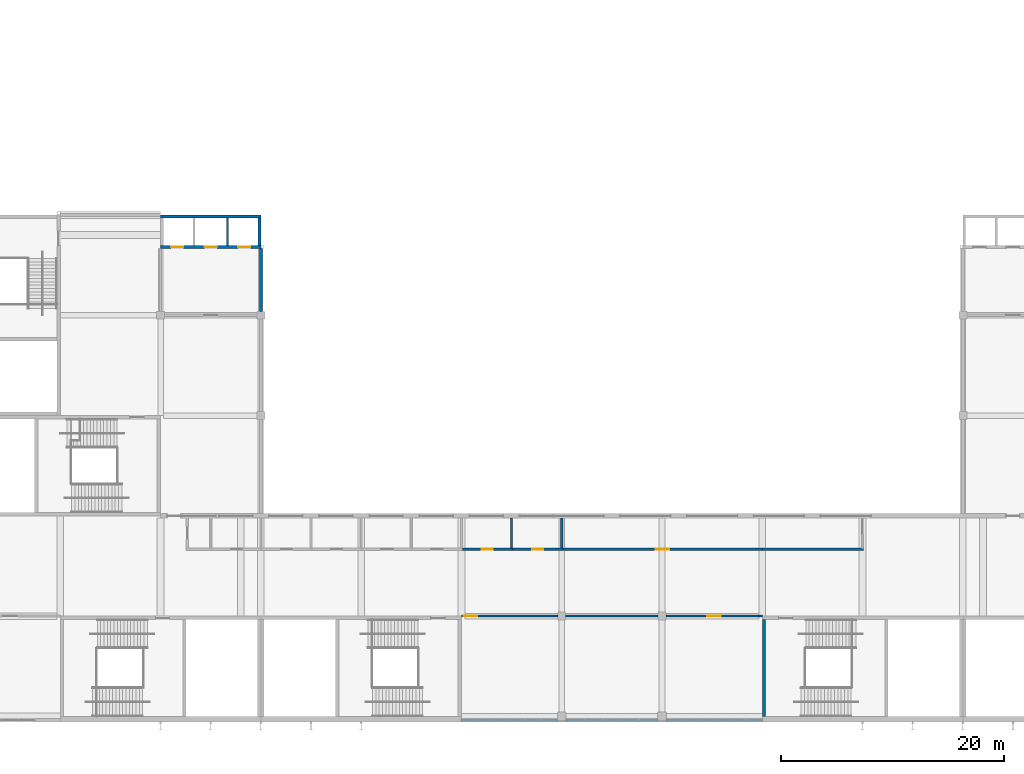
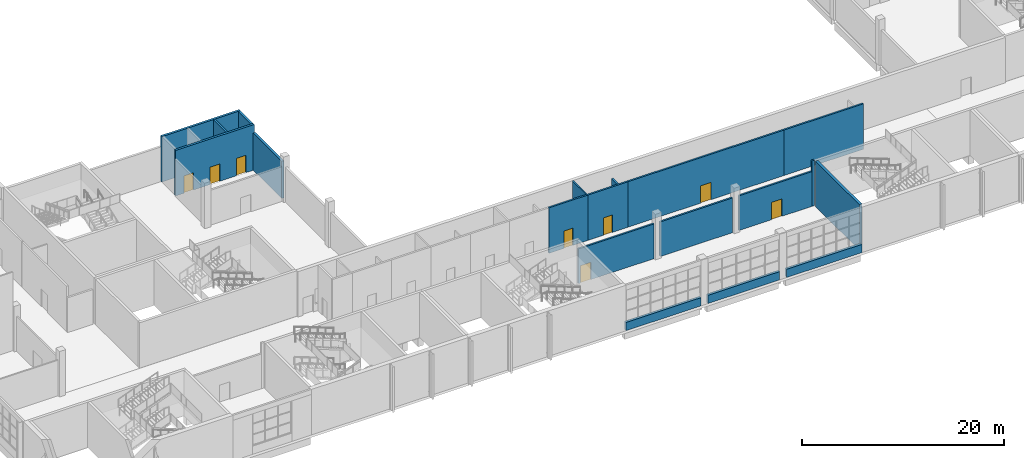
# One storey, part 34 of 84: 19 walls, 8 doors, 8 openings.
"""IFC4 building model written with IfcOpenShell, lengths in metres."""

from ifc_helpers import new_model, si_unit, direction, frame, frame_2d, origin, place, context, subcontext, project, spatial, rectangle, extrude, material, layer, layer_set, type_object, element, fill, save


model = new_model("IFC4")

# Units and contexts
model_context = context("Model", 3, precision=1e-05, world=origin(), true_north=direction((0.0, 1.0)))
body_context = subcontext(model_context, "Body", "Model", "MODEL_VIEW")
ifc_project = project(units=[si_unit("LENGTHUNIT", "METRE"), si_unit("AREAUNIT", "SQUARE_METRE"), si_unit("VOLUMEUNIT", "CUBIC_METRE"), si_unit("PLANEANGLEUNIT", "RADIAN"), si_unit("MASSUNIT", "GRAM", prefix="KILO")], contexts=[model_context])

# Site, building, storey
site_placement = place(None, origin())
site = spatial("IfcSite", under=ifc_project, at=site_placement, CompositionType="ELEMENT")
building_placement = place(site_placement, origin())
building = spatial("IfcBuilding", under=site, at=building_placement, Name="Silverbay Arena", CompositionType="ELEMENT")
storey_placement = place(building_placement, frame((0.0, 0.0, 28.0)))
storey = spatial("IfcBuildingStorey", under=building, at=storey_placement, Name="L04", CompositionType="ELEMENT", Elevation=28.0)

# Walls
ifc_material_1 = material(Name="Anodised aluminium cladding on insulated backing", Category="aluminium")
ifc_layer_1 = layer(ifc_material_1, 0.300048828125)
ifc_layer_set_1 = layer_set([ifc_layer_1], Name="Anodised aluminium cladding on insulated backing")
wall_type_1 = type_object("IfcWallType", Name="Aluminium clad wall 300", PredefinedType="SOLIDWALL", material=ifc_layer_set_1)
wall_1_placement = place(storey_placement, frame((117.0, 17.64990234375, 0.0), z_axis=(0.0, 0.0, 1.0), x_axis=(1.0, 0.0, 0.0)))
element("IfcWall", 1, at=wall_1_placement, inside=storey, type_object=wall_type_1, Name="South sill wall L04 bay 8", PredefinedType="SOLIDWALL", context=body_context, shape_type="SweptSolid", body=[
    extrude(rectangle(XDim=8.60009765625, YDim=0.300048828125, at=frame_2d((4.300048828125, 0.0))), origin(), (0.0, 0.0, 1.0), 1.0),
])
wall_2_placement = place(storey_placement, frame((126.39990234375, 17.64990234375, 0.0), z_axis=(0.0, 0.0, 1.0), x_axis=(1.0, 0.0, 0.0)))
element("IfcWall", 2, at=wall_2_placement, inside=storey, type_object=wall_type_1, Name="South sill wall L04 bay 9", PredefinedType="SOLIDWALL", context=body_context, shape_type="SweptSolid", body=[
    extrude(rectangle(XDim=8.2001953125, YDim=0.300048828125, at=frame_2d((4.10009765625, 0.0))), origin(), (0.0, 0.0, 1.0), 1.0),
])
wall_3_placement = place(storey_placement, frame((135.39990234375, 17.64990234375, 0.0), z_axis=(0.0, 0.0, 1.0), x_axis=(1.0, 0.0, 0.0)))
element("IfcWall", 3, at=wall_3_placement, inside=storey, type_object=wall_type_1, Name="South sill wall L04 bay 10", PredefinedType="SOLIDWALL", context=body_context, shape_type="SweptSolid", body=[
    extrude(rectangle(XDim=8.60009765625, YDim=0.300048828125, at=frame_2d((4.300048828125, 0.0))), origin(), (0.0, 0.0, 1.0), 1.0),
])
ifc_material_2 = material(Name="Concrete Grade C45", Category="concrete")
ifc_layer_2 = layer(ifc_material_2, 0.25)
ifc_layer_set_2 = layer_set([ifc_layer_2], Name="Concrete Grade C45")
wall_type_2 = type_object("IfcWallType", Name="Bowl enclosure wall RC 250 EI 120", PredefinedType="SOLIDWALL", material=ifc_layer_set_2)
wall_4_placement = place(storey_placement, frame((99.0, 54.35009765625, 0.0), z_axis=(0.0, 0.0, 1.0), x_axis=(0.0, 1.0, 0.0)))
element("IfcWall", 4, at=wall_4_placement, inside=storey, type_object=wall_type_2, Name="Bowl enclosure wall, corner block SW-x", PredefinedType="SOLIDWALL", context=body_context, shape_type="SweptSolid", body=[
    extrude(rectangle(XDim=5.64990234375, YDim=0.25, at=frame_2d((2.824951171875, 0.0))), origin(), (0.0, 0.0, 1.0), 4.5),
])
ifc_material_3 = material(Name="Concrete Grade C45", Category="concrete")
ifc_layer_3 = layer(ifc_material_3, 0.300048828125)
ifc_layer_set_3 = layer_set([ifc_layer_3], Name="Concrete Grade C45")
wall_type_3 = type_object("IfcWallType", Name="Core wall RC 300 EI 120", PredefinedType="SHEAR", material=ifc_layer_set_3)
wall_5_placement = place(storey_placement, frame((144.14990234375, 26.699951171875, 0.0), z_axis=(0.0, 0.0, 1.0), x_axis=(0.0, -1.0, 0.0)))
element("IfcWall", 5, at=wall_5_placement, inside=storey, type_object=wall_type_3, Name="Core wall ST-S3 L04 end 1", PredefinedType="SHEAR", context=body_context, shape_type="SweptSolid", body=[
    extrude(rectangle(XDim=8.699951171875, YDim=0.300048828125, at=frame_2d((4.35009765625, 0.0))), origin(), (0.0, 0.0, 1.0), 5.5),
])
ifc_material_4 = material(Name="Concrete Grade C45", Category="concrete")
ifc_layer_4 = layer(ifc_material_4, 0.199951171875)
ifc_layer_set_4 = layer_set([ifc_layer_4], Name="Concrete Grade C45")
wall_type_4 = type_object("IfcWallType", Name="Lift shaft divider RC 200 EI 120", PredefinedType="SHEAR", material=ifc_layer_set_4)
wall_6_placement = place(storey_placement, frame((96.0, 60.25, 0.0), z_axis=(0.0, 0.0, 1.0), x_axis=(0.0, 1.0, 0.0)))
element("IfcWall", 6, at=wall_6_placement, inside=storey, type_object=wall_type_4, Name="Lift shaft divider LB-SW L04 2", PredefinedType="SHEAR", context=body_context, shape_type="SweptSolid", body=[
    extrude(rectangle(XDim=2.5, YDim=0.199951171875, at=frame_2d((1.25, 0.0))), origin(), (0.0, 0.0, 1.0), 5.5),
])

# Wall, openings, doors
ifc_material_5 = material(Name="Concrete Grade C45", Category="concrete")
ifc_layer_5 = layer(ifc_material_5, 0.25)
ifc_layer_set_5 = layer_set([ifc_layer_5], Name="Concrete Grade C45")
wall_type_5 = type_object("IfcWallType", Name="Lift shaft wall RC 250 EI 120", PredefinedType="SHEAR", material=ifc_layer_set_5)
wall_7_placement = place(storey_placement, frame((90.0, 60.125, 0.0), z_axis=(0.0, 0.0, 1.0), x_axis=(1.0, 0.0, 0.0)))
wall_7 = element("IfcWall", 7, at=wall_7_placement, inside=storey, type_object=wall_type_5, Name="Lift shaft wall LB-SW L04 landing side", PredefinedType="SHEAR", context=body_context, shape_type="SweptSolid", body=[
    extrude(rectangle(XDim=9.0, YDim=0.25, at=frame_2d((4.5, 0.0))), origin(), (0.0, 0.0, 1.0), 5.5),
])
opening_1_placement = place(wall_7_placement, frame((0.949951171875, 0.0, 0.0)))
opening_1 = element("IfcOpeningElement", 8, at=opening_1_placement, cuts=wall_7, Name="Opening L04-079", PredefinedType="OPENING", context=body_context, shape_type="SweptSolid", body=[
    extrude(rectangle(XDim=1.10009765625, YDim=2.10009765625, at=frame_2d((0.550048828125, 1.050048828125))), frame((0.0, 0.135009765625, 0.0), z_axis=(0.0, -1.0, 0.0), x_axis=(1.0, 0.0, 0.0)), (0.0, 0.0, 1.0), 0.27001953125),
])
opening_2_placement = place(wall_7_placement, frame((3.949951171875, 0.0, 0.0)))
opening_2 = element("IfcOpeningElement", 9, at=opening_2_placement, cuts=wall_7, Name="Opening L04-080", PredefinedType="OPENING", context=body_context, shape_type="SweptSolid", body=[
    extrude(rectangle(XDim=1.10009765625, YDim=2.10009765625, at=frame_2d((0.550048828125, 1.050048828125))), frame((0.0, 0.135009765625, 0.0), z_axis=(0.0, -1.0, 0.0), x_axis=(1.0, 0.0, 0.0)), (0.0, 0.0, 1.0), 0.27001953125),
])
opening_3_placement = place(wall_7_placement, frame((6.949951171875, 0.0, 0.0)))
opening_3 = element("IfcOpeningElement", 10, at=opening_3_placement, cuts=wall_7, Name="Opening L04-081", PredefinedType="OPENING", context=body_context, shape_type="SweptSolid", body=[
    extrude(rectangle(XDim=1.10009765625, YDim=2.10009765625, at=frame_2d((0.550048828125, 1.050048828125))), frame((0.0, 0.135009765625, 0.0), z_axis=(0.0, -1.0, 0.0), x_axis=(1.0, 0.0, 0.0)), (0.0, 0.0, 1.0), 0.27001953125),
])
ifc_material_6 = material(Name="Stainless steel", Category="steel")
door_type_1 = type_object("IfcDoorType", Name="LD1 lift landing door 1100 x 2100", OperationType="DOUBLE_DOOR_SLIDING", PredefinedType="DOOR", material=ifc_material_6)
door_1_placement = place(opening_1_placement, origin())
door_1 = element("IfcDoor", 11, at=door_1_placement, inside=storey, type_object=door_type_1, Name="Lift landing door LF2 L04", OperationType="DOUBLE_DOOR_SLIDING", OverallHeight=2.10009765625, OverallWidth=1.10009765625, PredefinedType="DOOR", context=body_context, shape_type="SweptSolid", body=[
    extrude(rectangle(XDim=1.10009765625, YDim=2.10009765625, at=frame_2d((0.550048828125, 1.050048828125))), frame((0.0, 0.02490234375, 0.0), z_axis=(0.0, -1.0, 0.0), x_axis=(1.0, 0.0, 0.0)), (0.0, 0.0, 1.0), 0.050048828125),
])
fill(opening_1, door_1)
door_2_placement = place(opening_2_placement, origin())
door_2 = element("IfcDoor", 12, at=door_2_placement, inside=storey, type_object=door_type_1, Name="Lift landing door LF4 L04", OperationType="DOUBLE_DOOR_SLIDING", OverallHeight=2.10009765625, OverallWidth=1.10009765625, PredefinedType="DOOR", context=body_context, shape_type="SweptSolid", body=[
    extrude(rectangle(XDim=1.10009765625, YDim=2.10009765625, at=frame_2d((0.550048828125, 1.050048828125))), frame((0.0, 0.02490234375, 0.0), z_axis=(0.0, -1.0, 0.0), x_axis=(1.0, 0.0, 0.0)), (0.0, 0.0, 1.0), 0.050048828125),
])
fill(opening_2, door_2)
door_3_placement = place(opening_3_placement, origin())
door_3 = element("IfcDoor", 13, at=door_3_placement, inside=storey, type_object=door_type_1, Name="Lift landing door LF5 L04", OperationType="DOUBLE_DOOR_SLIDING", OverallHeight=2.10009765625, OverallWidth=1.10009765625, PredefinedType="DOOR", context=body_context, shape_type="SweptSolid", body=[
    extrude(rectangle(XDim=1.10009765625, YDim=2.10009765625, at=frame_2d((0.550048828125, 1.050048828125))), frame((0.0, 0.02490234375, 0.0), z_axis=(0.0, -1.0, 0.0), x_axis=(1.0, 0.0, 0.0)), (0.0, 0.0, 1.0), 0.050048828125),
])
fill(opening_3, door_3)

# Walls
wall_8_placement = place(storey_placement, frame((90.0, 62.875, 0.0), z_axis=(0.0, 0.0, 1.0), x_axis=(1.0, 0.0, 0.0)))
element("IfcWall", 14, at=wall_8_placement, inside=storey, type_object=wall_type_5, Name="Lift shaft wall LB-SW L04 back", PredefinedType="SHEAR", context=body_context, shape_type="SweptSolid", body=[
    extrude(rectangle(XDim=9.0, YDim=0.25, at=frame_2d((4.5, 0.0))), origin(), (0.0, 0.0, 1.0), 5.5),
])
wall_9_placement = place(storey_placement, frame((98.875, 60.25, 0.0), z_axis=(0.0, 0.0, 1.0), x_axis=(0.0, 1.0, 0.0)))
element("IfcWall", 15, at=wall_9_placement, inside=storey, type_object=wall_type_5, Name="Lift shaft wall LB-SW L04 end", PredefinedType="SHEAR", context=body_context, shape_type="SweptSolid", body=[
    extrude(rectangle(XDim=2.5, YDim=0.25, at=frame_2d((1.25, 0.0))), origin(), (0.0, 0.0, 1.0), 5.5),
])
ifc_material_7 = material(Name="Gypsum board partition on steel studs", Category="steel")
ifc_layer_6 = layer(ifc_material_7, 0.14990234375)
ifc_layer_set_6 = layer_set([ifc_layer_6], Name="Gypsum board partition on steel studs")
wall_type_6 = type_object("IfcWallType", Name="Partition 150 EI 60", PredefinedType="PARTITIONING", material=ifc_layer_set_6)
wall_10_placement = place(storey_placement, frame((121.5, 33.10009765625, 0.0), z_axis=(0.0, 0.0, 1.0), x_axis=(0.0, 1.0, 0.0)))
element("IfcWall", 16, at=wall_10_placement, inside=storey, type_object=wall_type_6, Name="Partition wall", PredefinedType="PARTITIONING", context=body_context, shape_type="SweptSolid", body=[
    extrude(rectangle(XDim=2.699951171875, YDim=0.14990234375, at=frame_2d((1.35009765625, 0.0))), origin(), (0.0, 0.0, 1.0), 5.5),
])

# Wall, opening, door
ifc_material_8 = material(Name="Masonry blockwork partition", Category="masonry")
ifc_layer_7 = layer(ifc_material_8, 0.199951171875)
ifc_layer_set_7 = layer_set([ifc_layer_7], Name="Masonry blockwork partition")
wall_type_7 = type_object("IfcWallType", Name="Partition 200 EI 120", PredefinedType="PARTITIONING", material=ifc_layer_set_7)
wall_11_placement = place(storey_placement, frame((135.35009765625, 27.0, 0.0), z_axis=(0.0, 0.0, 1.0), x_axis=(1.0, 0.0, 0.0)))
wall_11 = element("IfcWall", 17, at=wall_11_placement, inside=storey, type_object=wall_type_7, Name="Partition wall", PredefinedType="PARTITIONING", context=body_context, shape_type="SweptSolid", body=[
    extrude(rectangle(XDim=8.349853515625, YDim=0.199951171875, at=frame_2d((4.1748046875, 0.0))), origin(), (0.0, 0.0, 1.0), 4.199951171875),
])
opening_4_placement = place(wall_11_placement, frame((3.72509765625, 0.0, 0.0)))
opening_4 = element("IfcOpeningElement", 18, at=opening_4_placement, cuts=wall_11, Name="Opening L04-002", PredefinedType="OPENING", context=body_context, shape_type="SweptSolid", body=[
    extrude(rectangle(XDim=1.199951171875, YDim=2.10009765625, at=frame_2d((0.60009765625, 1.050048828125))), frame((0.0, 0.10986328125, 0.0), z_axis=(0.0, -1.0, 0.0), x_axis=(1.0, 0.0, 0.0)), (0.0, 0.0, 1.0), 0.219970703125),
])
ifc_material_9 = material(Name="Steel faced timber", Category="steel")
door_type_2 = type_object("IfcDoorType", Name="Single leaf door 1200 x 2100 FD120", OperationType="SINGLE_SWING_LEFT", PredefinedType="DOOR", material=ifc_material_9)
door_4_placement = place(opening_4_placement, frame((1.199951171875, 0.0, 0.0), z_axis=(0.0, 0.0, 1.0), x_axis=(-1.0, 0.0, 0.0)))
door_4 = element("IfcDoor", 19, at=door_4_placement, inside=storey, type_object=door_type_2, Name="Door L04-002", OperationType="SINGLE_SWING_LEFT", OverallHeight=2.10009765625, OverallWidth=1.199951171875, PredefinedType="DOOR", context=body_context, shape_type="SweptSolid", body=[
    extrude(rectangle(XDim=1.199951171875, YDim=2.10009765625, at=frame_2d((0.60009765625, 1.050048828125))), frame((0.0, 0.02490234375, 0.0), z_axis=(0.0, -1.0, 0.0), x_axis=(1.0, 0.0, 0.0)), (0.0, 0.0, 1.0), 0.050048828125),
])
fill(opening_4, door_4)

# Wall
wall_12_placement = place(storey_placement, frame((126.35009765625, 27.0, 0.0), z_axis=(0.0, 0.0, 1.0), x_axis=(1.0, 0.0, 0.0)))
element("IfcWall", 20, at=wall_12_placement, inside=storey, type_object=wall_type_7, Name="Partition wall", PredefinedType="PARTITIONING", context=body_context, shape_type="SweptSolid", body=[
    extrude(rectangle(XDim=8.2998046875, YDim=0.199951171875, at=frame_2d((4.14990234375, 0.0))), origin(), (0.0, 0.0, 1.0), 4.199951171875),
])

# Wall, opening, door
wall_13_placement = place(storey_placement, frame((117.0, 27.0, 0.0), z_axis=(0.0, 0.0, 1.0), x_axis=(1.0, 0.0, 0.0)))
wall_13 = element("IfcWall", 21, at=wall_13_placement, inside=storey, type_object=wall_type_7, Name="Partition wall", PredefinedType="PARTITIONING", context=body_context, shape_type="SweptSolid", body=[
    extrude(rectangle(XDim=8.64990234375, YDim=0.199951171875, at=frame_2d((4.324951171875, 0.0))), origin(), (0.0, 0.0, 1.0), 4.199951171875),
])
opening_5_placement = place(wall_13_placement, frame((0.199951171875, 0.0, 0.0)))
opening_5 = element("IfcOpeningElement", 22, at=opening_5_placement, cuts=wall_13, Name="Opening L04-052", PredefinedType="OPENING", context=body_context, shape_type="SweptSolid", body=[
    extrude(rectangle(XDim=1.199951171875, YDim=2.10009765625, at=frame_2d((0.60009765625, 1.050048828125))), frame((0.0, 0.10986328125, 0.0), z_axis=(0.0, -1.0, 0.0), x_axis=(1.0, 0.0, 0.0)), (0.0, 0.0, 1.0), 0.219970703125),
])
door_5_placement = place(opening_5_placement, frame((1.199951171875, 0.0, 0.0), z_axis=(0.0, 0.0, 1.0), x_axis=(-1.0, 0.0, 0.0)))
door_5 = element("IfcDoor", 23, at=door_5_placement, inside=storey, type_object=door_type_2, Name="Door L04-052", OperationType="SINGLE_SWING_RIGHT", OverallHeight=2.10009765625, OverallWidth=1.199951171875, PredefinedType="DOOR", context=body_context, shape_type="SweptSolid", body=[
    extrude(rectangle(XDim=1.199951171875, YDim=2.10009765625, at=frame_2d((0.60009765625, 1.050048828125))), frame((0.0, 0.02490234375, 0.0), z_axis=(0.0, -1.0, 0.0), x_axis=(1.0, 0.0, 0.0)), (0.0, 0.0, 1.0), 0.050048828125),
])
fill(opening_5, door_5)

wall_14_placement = place(storey_placement, frame((117.074951171875, 33.0, 0.0), z_axis=(0.0, 0.0, 1.0), x_axis=(1.0, 0.0, 0.0)))
wall_14 = element("IfcWall", 24, at=wall_14_placement, inside=storey, type_object=wall_type_7, Name="Partition wall", PredefinedType="PARTITIONING", context=body_context, shape_type="SweptSolid", body=[
    extrude(rectangle(XDim=4.5, YDim=0.199951171875, at=frame_2d((2.25, 0.0))), origin(), (0.0, 0.0, 1.0), 5.5),
])
opening_6_placement = place(wall_14_placement, frame((1.75, 0.0, 0.0)))
opening_6 = element("IfcOpeningElement", 25, at=opening_6_placement, cuts=wall_14, Name="Opening L04-029", PredefinedType="OPENING", context=body_context, shape_type="SweptSolid", body=[
    extrude(rectangle(XDim=1.0, YDim=2.10009765625, at=frame_2d((0.5, 1.050048828125))), frame((0.0, 0.10986328125, 0.0), z_axis=(0.0, -1.0, 0.0), x_axis=(1.0, 0.0, 0.0)), (0.0, 0.0, 1.0), 0.219970703125),
])
ifc_material_10 = material(Name="Steel faced timber", Category="steel")
door_type_3 = type_object("IfcDoorType", Name="Single leaf door 1000 x 2100 FD120", OperationType="SINGLE_SWING_LEFT", PredefinedType="DOOR", material=ifc_material_10)
door_6_placement = place(opening_6_placement, origin())
door_6 = element("IfcDoor", 26, at=door_6_placement, inside=storey, type_object=door_type_3, Name="Door L04-029", OperationType="SINGLE_SWING_LEFT", OverallHeight=2.10009765625, OverallWidth=1.0, PredefinedType="DOOR", context=body_context, shape_type="SweptSolid", body=[
    extrude(rectangle(XDim=1.0, YDim=2.10009765625, at=frame_2d((0.5, 1.050048828125))), frame((0.0, 0.02490234375, 0.0), z_axis=(0.0, -1.0, 0.0), x_axis=(1.0, 0.0, 0.0)), (0.0, 0.0, 1.0), 0.050048828125),
])
fill(opening_6, door_6)

wall_15_placement = place(storey_placement, frame((121.574951171875, 33.0, 0.0), z_axis=(0.0, 0.0, 1.0), x_axis=(1.0, 0.0, 0.0)))
wall_15 = element("IfcWall", 27, at=wall_15_placement, inside=storey, type_object=wall_type_7, Name="Partition wall", PredefinedType="PARTITIONING", context=body_context, shape_type="SweptSolid", body=[
    extrude(rectangle(XDim=4.525146484375, YDim=0.199951171875, at=frame_2d((2.2626953125, 0.0))), origin(), (0.0, 0.0, 1.0), 5.5),
])
opening_7_placement = place(wall_15_placement, frame((1.761962890625, 0.0, 0.0)))
opening_7 = element("IfcOpeningElement", 28, at=opening_7_placement, cuts=wall_15, Name="Opening L04-030", PredefinedType="OPENING", context=body_context, shape_type="SweptSolid", body=[
    extrude(rectangle(XDim=1.0, YDim=2.10009765625, at=frame_2d((0.5, 1.050048828125))), frame((0.0, 0.10986328125, 0.0), z_axis=(0.0, -1.0, 0.0), x_axis=(1.0, 0.0, 0.0)), (0.0, 0.0, 1.0), 0.219970703125),
])
door_7_placement = place(opening_7_placement, origin())
door_7 = element("IfcDoor", 29, at=door_7_placement, inside=storey, type_object=door_type_3, Name="Door L04-030", OperationType="SINGLE_SWING_RIGHT", OverallHeight=2.10009765625, OverallWidth=1.0, PredefinedType="DOOR", context=body_context, shape_type="SweptSolid", body=[
    extrude(rectangle(XDim=1.0, YDim=2.10009765625, at=frame_2d((0.5, 1.050048828125))), frame((0.0, 0.02490234375, 0.0), z_axis=(0.0, -1.0, 0.0), x_axis=(1.0, 0.0, 0.0)), (0.0, 0.0, 1.0), 0.050048828125),
])
fill(opening_7, door_7)

# Walls
wall_16_placement = place(storey_placement, frame((126.0, 33.10009765625, 0.0), z_axis=(0.0, 0.0, 1.0), x_axis=(0.0, 1.0, 0.0)))
element("IfcWall", 30, at=wall_16_placement, inside=storey, type_object=wall_type_7, Name="Partition wall", PredefinedType="PARTITIONING", context=body_context, shape_type="SweptSolid", body=[
    extrude(rectangle(XDim=2.699951171875, YDim=0.199951171875, at=frame_2d((1.35009765625, 0.0))), origin(), (0.0, 0.0, 1.0), 4.199951171875),
])
wall_17_placement = place(storey_placement, frame((143.699951171875, 27.0, 0.0), z_axis=(0.0, 0.0, 1.0), x_axis=(1.0, 0.0, 0.0)))
element("IfcWall", 31, at=wall_17_placement, inside=storey, type_object=wall_type_7, Name="Partition wall", PredefinedType="PARTITIONING", context=body_context, shape_type="SweptSolid", body=[
    extrude(rectangle(XDim=0.300048828125, YDim=0.199951171875, at=frame_2d((0.14990234375, 0.0))), origin(), (0.0, 0.0, 1.0), 5.5),
])

# Wall, opening, door
ifc_material_11 = material(Name="Gypsum board partition on steel studs", Category="steel")
ifc_layer_8 = layer(ifc_material_11, 0.199951171875)
ifc_layer_set_8 = layer_set([ifc_layer_8], Name="Gypsum board partition on steel studs")
wall_type_8 = type_object("IfcWallType", Name="Partition 200 EI 60", PredefinedType="PARTITIONING", material=ifc_layer_set_8)
wall_18_placement = place(storey_placement, frame((126.10009765625, 33.0, 0.0), z_axis=(0.0, 0.0, 1.0), x_axis=(1.0, 0.0, 0.0)))
wall_18 = element("IfcWall", 32, at=wall_18_placement, inside=storey, type_object=wall_type_8, Name="Partition wall", PredefinedType="PARTITIONING", context=body_context, shape_type="SweptSolid", body=[
    extrude(rectangle(XDim=17.89990234375, YDim=0.199951171875, at=frame_2d((8.949951171875, 0.0))), origin(), (0.0, 0.0, 1.0), 5.5),
])
opening_8_placement = place(wall_18_placement, frame((8.35009765625, 0.0, 0.0)))
opening_8 = element("IfcOpeningElement", 33, at=opening_8_placement, cuts=wall_18, Name="Opening L04-031", PredefinedType="OPENING", context=body_context, shape_type="SweptSolid", body=[
    extrude(rectangle(XDim=1.199951171875, YDim=2.10009765625, at=frame_2d((0.60009765625, 1.050048828125))), frame((0.0, 0.10986328125, 0.0), z_axis=(0.0, -1.0, 0.0), x_axis=(1.0, 0.0, 0.0)), (0.0, 0.0, 1.0), 0.219970703125),
])
ifc_material_12 = material(Name="Steel faced timber", Category="steel")
door_type_4 = type_object("IfcDoorType", Name="Single leaf door 1200 x 2100 FD30S", OperationType="SINGLE_SWING_LEFT", PredefinedType="DOOR", material=ifc_material_12)
door_8_placement = place(opening_8_placement, origin())
door_8 = element("IfcDoor", 34, at=door_8_placement, inside=storey, type_object=door_type_4, Name="Door L04-031", OperationType="SINGLE_SWING_LEFT", OverallHeight=2.10009765625, OverallWidth=1.199951171875, PredefinedType="DOOR", context=body_context, shape_type="SweptSolid", body=[
    extrude(rectangle(XDim=1.199951171875, YDim=2.10009765625, at=frame_2d((0.60009765625, 1.050048828125))), frame((0.0, 0.02490234375, 0.0), z_axis=(0.0, -1.0, 0.0), x_axis=(1.0, 0.0, 0.0)), (0.0, 0.0, 1.0), 0.050048828125),
])
fill(opening_8, door_8)

# Wall
wall_19_placement = place(storey_placement, frame((144.0, 33.0, 0.0), z_axis=(0.0, 0.0, 1.0), x_axis=(1.0, 0.0, 0.0)))
element("IfcWall", 35, at=wall_19_placement, inside=storey, type_object=wall_type_8, Name="Partition wall", PredefinedType="PARTITIONING", context=body_context, shape_type="SweptSolid", body=[
    extrude(rectangle(XDim=9.074951171875, YDim=0.199951171875, at=frame_2d((4.53759765625, 0.0))), origin(), (0.0, 0.0, 1.0), 5.5),
])

save(model, "model.ifc")
